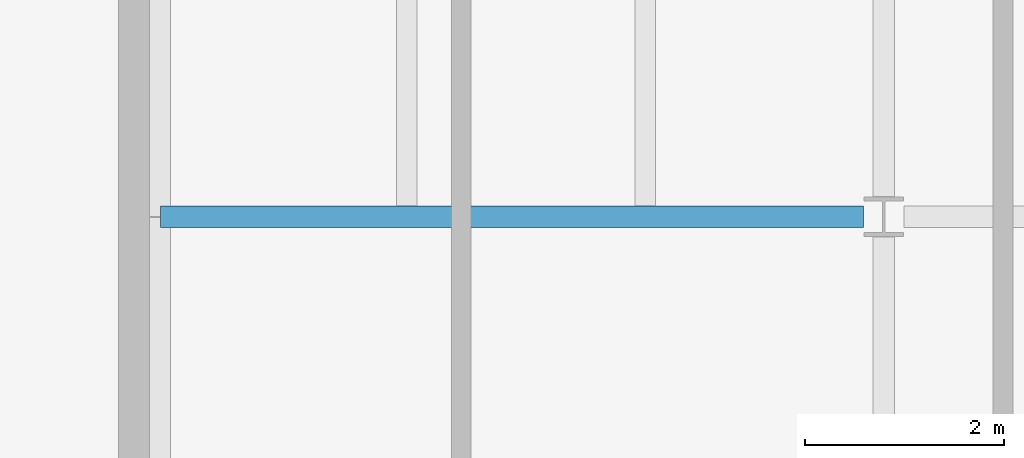
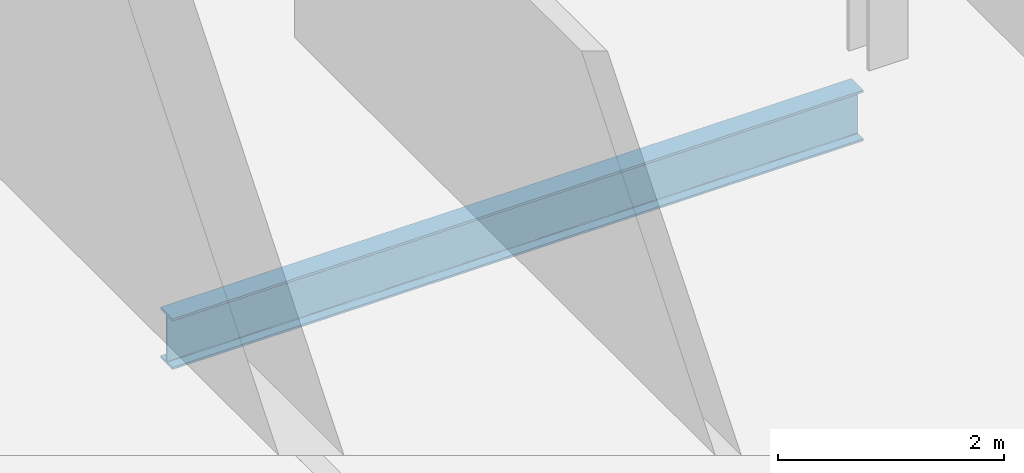
# One storey, part 5 of 15: 1 beam.
"""IFC4 building model written with IfcOpenShell, lengths in metres."""

from ifc_helpers import new_model, si_unit, direction, frame, origin, origin_2d, place, context, subcontext, project, spatial, i_section, extrude, material, material_profile, profile_set, type_object, element, save


model = new_model("IFC4")

# Units and contexts
model_context = context("Model", 3, precision=1e-05, world=origin(), true_north=direction((0.0, 1.0)))
body_context = subcontext(model_context, "Body", "Model", "MODEL_VIEW")
ifc_project = project(units=[si_unit("LENGTHUNIT", "METRE"), si_unit("AREAUNIT", "SQUARE_METRE"), si_unit("VOLUMEUNIT", "CUBIC_METRE"), si_unit("PLANEANGLEUNIT", "RADIAN"), si_unit("MASSUNIT", "GRAM", prefix="KILO")], contexts=[model_context])

# Site, building, storey
site_placement = place(None, origin())
site = spatial("IfcSite", under=ifc_project, at=site_placement, CompositionType="ELEMENT")
building_placement = place(site_placement, origin())
building = spatial("IfcBuilding", under=site, at=building_placement, Name="Cobrela Telecom Tower", CompositionType="ELEMENT")
storey_placement = place(building_placement, frame((0.0, 0.0, 301.35009765625)))
storey = spatial("IfcBuildingStorey", under=building, at=storey_placement, Name="L79", CompositionType="ELEMENT", Elevation=301.35009765625)

# Beam
ifc_material = material(Name="Steel ASTM A992 Grade 50", Category="steel")
ifc_material_profile = material_profile(ifc_material, i_section(OverallWidth=0.212890625, OverallDepth=0.549072265625, WebThickness=0.0146484375, FlangeThickness=0.023681640625, FilletRadius=0.013916015625, at=origin_2d()), Name="W21X93")
ifc_profile_set = profile_set([ifc_material_profile], Name="Steel ASTM A992 Grade 50")
beam_type = type_object("IfcBeamType", Name="BM-GIRD-08", PredefinedType="USERDEFINED", material=ifc_profile_set)
beam_placement = place(storey_placement, frame((14.324951171875, 14.39990234375, -0.53466796875), z_axis=(1.0, 0.0, 0.0), x_axis=(0.0, 1.0, 0.0)))
element("IfcBeam", 1, at=beam_placement, inside=storey, type_object=beam_type, Name="L79 Primary Girder X03", ObjectType="GIRDER", PredefinedType="USERDEFINED", context=body_context, shape_type="SweptSolid", body=[
    extrude(i_section(OverallWidth=0.212890625, OverallDepth=0.549072265625, WebThickness=0.0146484375, FlangeThickness=0.023681640625, FilletRadius=0.013916015625, at=origin_2d()), origin(), (0.0, 0.0, 1.0), 7.070556640625),
])

save(model, "model.ifc")
